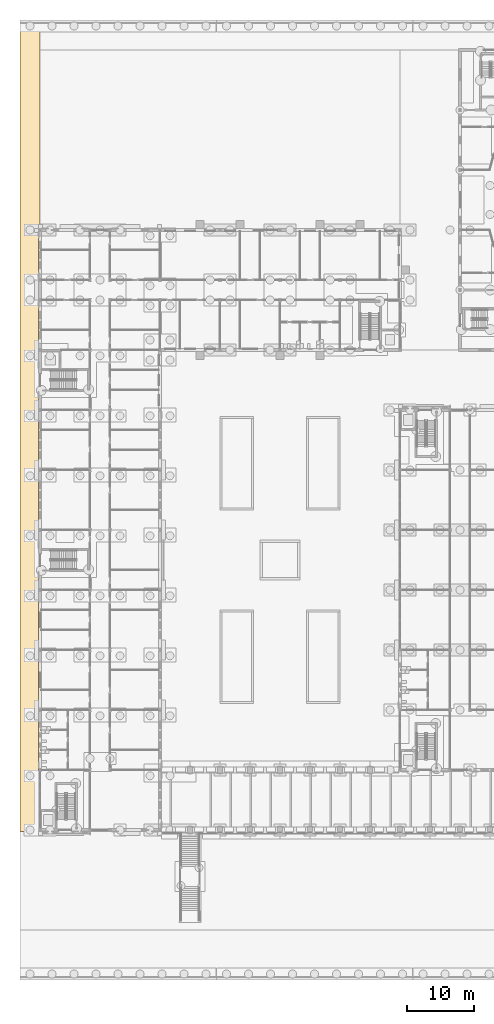
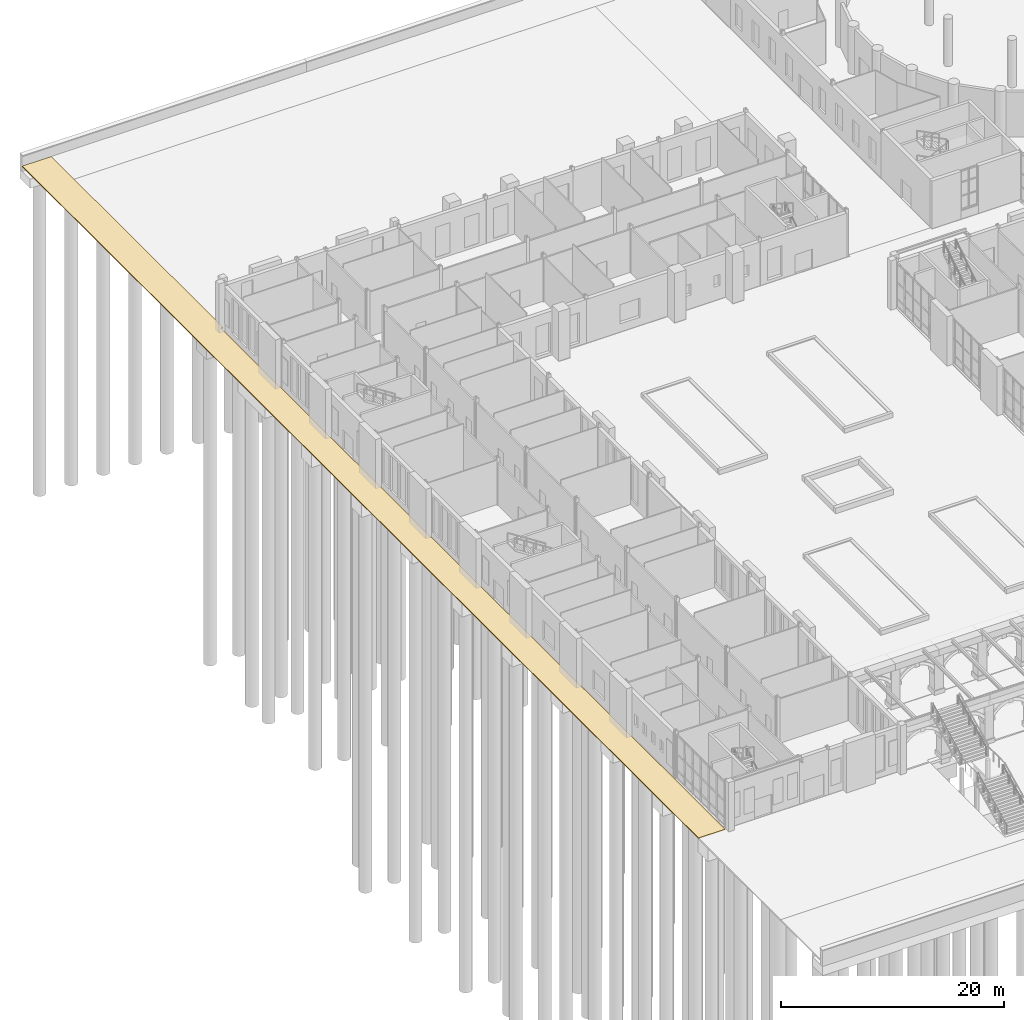
# One storey, part 138 of 168: 1 covering.
"""IFC4 building model written with IfcOpenShell, lengths in metres."""

from ifc_helpers import new_model, si_unit, direction, frame, origin, place, context, subcontext, project, spatial, polyline, outline, extrude, material, layer, layer_set, type_object, element, save


model = new_model("IFC4")

# Units and contexts
model_context = context("Model", 3, precision=1e-05, world=origin(), true_north=direction((0.0, 1.0)))
body_context = subcontext(model_context, "Body", "Model", "MODEL_VIEW")
ifc_project = project(units=[si_unit("LENGTHUNIT", "METRE"), si_unit("AREAUNIT", "SQUARE_METRE"), si_unit("VOLUMEUNIT", "CUBIC_METRE"), si_unit("PLANEANGLEUNIT", "RADIAN"), si_unit("MASSUNIT", "GRAM", prefix="KILO")], contexts=[model_context])

# Site, building, storey
site_placement = place(None, origin())
site = spatial("IfcSite", under=ifc_project, at=site_placement, CompositionType="ELEMENT")
building_placement = place(site_placement, origin())
building = spatial("IfcBuilding", under=site, at=building_placement, Name="Golden Quay Civic Hall", CompositionType="ELEMENT")
storey_placement = place(building_placement, origin())
storey = spatial("IfcBuildingStorey", under=building, at=storey_placement, Name="L00", CompositionType="ELEMENT", Elevation=0.0)

# Covering
ifc_material = material(Name="Concrete block paving", Category="concrete")
ifc_layer = layer(ifc_material, 0.10009765625)
ifc_layer_set = layer_set([ifc_layer], Name="Concrete block paving 100")
covering_type = type_object("IfcCoveringType", Name="Concrete block paving 100", PredefinedType="FLOORING", material=ifc_layer_set)
covering_placement = place(storey_placement, frame((0.0, 0.0, -0.10009765625)))
element("IfcCovering", 1, at=covering_placement, inside=storey, type_object=covering_type, Name="West side lane paving", PredefinedType="FLOORING", context=body_context, shape_type="SweptSolid", body=[
    extrude(outline(polyline([(-0.25, 81.25), (-0.25, 80.85009765625), (-0.25, 73.64990234375), (-0.25, 73.35009765625), (-0.25, 70.64990234375), (-0.25, 70.35009765625), (-0.25, 63.14990234375), (-0.25, 62.85009765625), (-0.25, 54.14990234375), (-0.25, 53.85009765625), (-0.25, 45.14990234375), (-0.25, 44.85009765625), (-0.25, 36.14990234375), (-0.25, 35.85009765625), (-0.25, 27.14990234375), (-0.25, 26.85009765625), (-0.25, 18.14990234375), (-0.25, 17.85009765625), (-0.25, 9.14990234375), (-0.25, 8.85009765625), (-0.25, 0.14990234375), (-0.25, -9.25), (-3.0, -9.25), (-3.0, 112.10009765625), (0.0, 112.10009765625), (0.0, 81.25), (-0.25, 81.25)])), origin(), (0.0, 0.0, 1.0), 0.10009765625),
])

save(model, "model.ifc")
